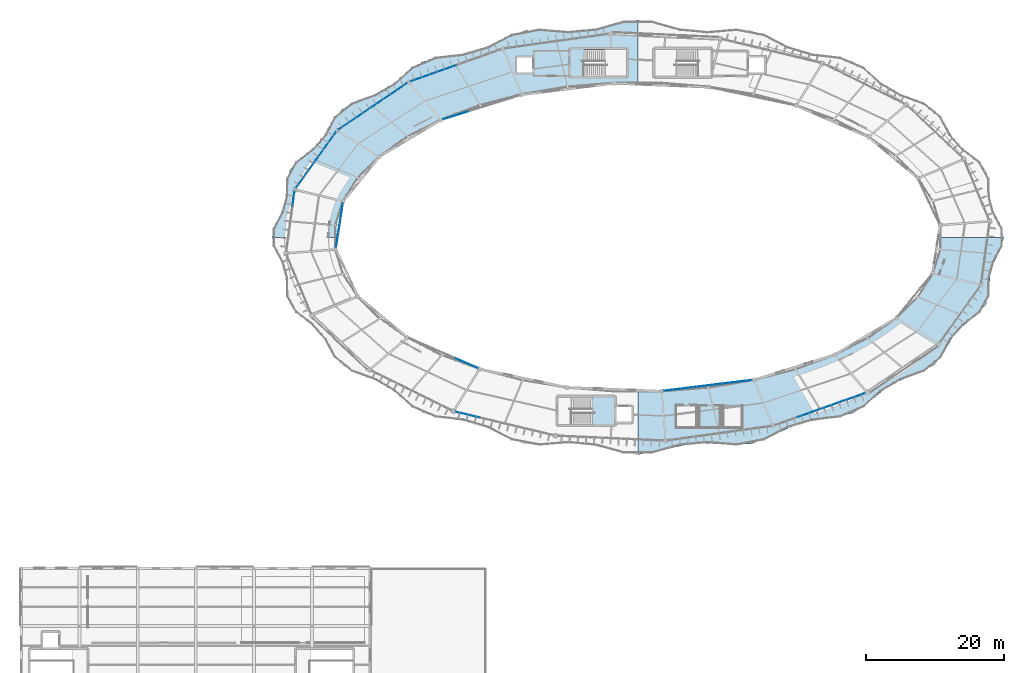
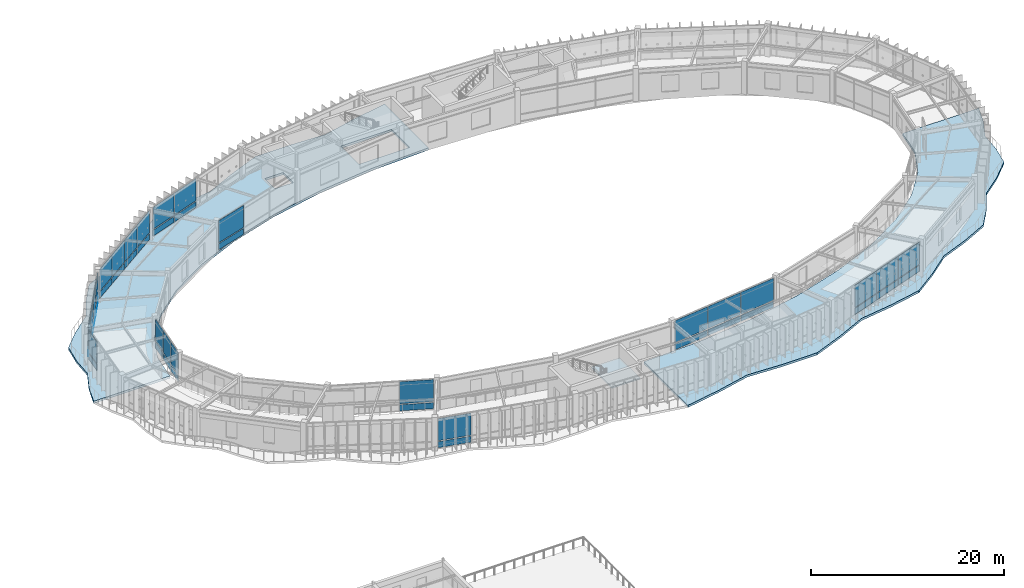
# One storey, part 63 of 83: 46 plates, 3 slabs, 11 elements without a shape of their own.
"""IFC4 building model written with IfcOpenShell, lengths in metres."""

from ifc_helpers import new_model, si_unit, direction, frame, origin, origin_2d, place, context, subcontext, project, spatial, polyline, rectangle, outline, extrude, material, layer, layer_set, type_object, element, aggregate, save


model = new_model("IFC4")

# Units and contexts
model_context = context("Model", 3, precision=1e-05, world=origin(), true_north=direction((0.0, 1.0)))
body_context = subcontext(model_context, "Body", "Model", "MODEL_VIEW")
ifc_project = project(units=[si_unit("LENGTHUNIT", "METRE"), si_unit("AREAUNIT", "SQUARE_METRE"), si_unit("VOLUMEUNIT", "CUBIC_METRE"), si_unit("PLANEANGLEUNIT", "RADIAN"), si_unit("MASSUNIT", "GRAM", prefix="KILO"), si_unit("THERMODYNAMICTEMPERATUREUNIT", "KELVIN"), si_unit("POWERUNIT", "WATT")], contexts=[model_context])

# Site, building, storey
site_placement = place(None, origin())
site = spatial("IfcSite", under=ifc_project, at=site_placement, CompositionType="ELEMENT")
building_placement = place(site_placement, origin())
building = spatial("IfcBuilding", under=site, at=building_placement, Name="Darbajah Civic Hall", CompositionType="ELEMENT")
storey_placement = place(building_placement, frame((0.0, 0.0, 18.0)))
storey = spatial("IfcBuildingStorey", under=building, at=storey_placement, Name="L04", CompositionType="ELEMENT", Elevation=18.0)

# Curtain wall, plates
ifc_material_1 = material(Name="Anodised Bronze Aluminium and Low-E Glazing", Category="aluminium")
curtain_wall_type_1 = type_object("IfcCurtainWallType", Name="Unitised Curtain Wall CW-68 9900x3900", PredefinedType="USERDEFINED", material=ifc_material_1)
curtain_wall_1_placement = place(storey_placement, origin())
curtain_wall_1 = element("IfcCurtainWall", 1, at=curtain_wall_1_placement, inside=storey, type_object=curtain_wall_type_1, Name="L04 unitised curtain wall CW-V1O-L04-08", ObjectType="UNITISED CURTAIN WALL", PredefinedType="USERDEFINED")
ifc_material_2 = material(Name="Low-E Solar Control Double Glazing", Category="glass")
ifc_layer_1 = layer(ifc_material_2, 0.02392578125, Name="Low-E Solar Control Double Glazing")
ifc_layer_set_1 = layer_set([ifc_layer_1], Name="Low-E Solar Control Double Glazing")
plate_type_1 = type_object("IfcPlateType", Name="Solar Double Glazing 24mm", PredefinedType="CURTAIN_PANEL", material=ifc_layer_set_1)
plate_1_placement = place(storey_placement, frame((44.72021484375, 103.963623046875, 0.10009765625), z_axis=(0.0, 0.0, 1.0), x_axis=(-0.582264874145, -0.812999149039, 0.0)))
plate_1 = element("IfcPlate", 2, at=plate_1_placement, type_object=plate_type_1, Name="CW-V1O-L04-08 glazed panel 1.1", PredefinedType="CURTAIN_PANEL", context=body_context, shape_type="SweptSolid", body=[
    extrude(rectangle(XDim=2.406005859375, YDim=0.02392578125, at=origin_2d()), origin(), (0.0, 0.0, 1.0), 0.800048828125),
])
plate_2_placement = place(storey_placement, frame((44.72021484375, 103.963623046875, 1.0), z_axis=(0.0, 0.0, 1.0), x_axis=(-0.582264874145, -0.812999149039, 0.0)))
plate_2 = element("IfcPlate", 3, at=plate_2_placement, type_object=plate_type_1, Name="CW-V1O-L04-08 glazed panel 1.2", PredefinedType="CURTAIN_PANEL", context=body_context, shape_type="SweptSolid", body=[
    extrude(rectangle(XDim=2.406005859375, YDim=0.02392578125, at=origin_2d()), origin(), (0.0, 0.0, 1.0), 2.820068359375),
])
plate_3_placement = place(storey_placement, frame((43.281494140625, 101.95458984375, 0.10009765625), z_axis=(0.0, 0.0, 1.0), x_axis=(-0.582264874145, -0.812999149039, 0.0)))
plate_3 = element("IfcPlate", 4, at=plate_3_placement, type_object=plate_type_1, Name="CW-V1O-L04-08 glazed panel 2.1", PredefinedType="CURTAIN_PANEL", context=body_context, shape_type="SweptSolid", body=[
    extrude(rectangle(XDim=2.406005859375, YDim=0.02392578125, at=origin_2d()), origin(), (0.0, 0.0, 1.0), 0.800048828125),
])
plate_4_placement = place(storey_placement, frame((43.281494140625, 101.95458984375, 1.0), z_axis=(0.0, 0.0, 1.0), x_axis=(-0.582264874145, -0.812999149039, 0.0)))
plate_4 = element("IfcPlate", 5, at=plate_4_placement, type_object=plate_type_1, Name="CW-V1O-L04-08 glazed panel 2.2", PredefinedType="CURTAIN_PANEL", context=body_context, shape_type="SweptSolid", body=[
    extrude(rectangle(XDim=2.406005859375, YDim=0.02392578125, at=origin_2d()), origin(), (0.0, 0.0, 1.0), 2.820068359375),
])
plate_5_placement = place(storey_placement, frame((41.843017578125, 99.945556640625, 0.10009765625), z_axis=(0.0, 0.0, 1.0), x_axis=(-0.582264874145, -0.812999149039, 0.0)))
plate_5 = element("IfcPlate", 6, at=plate_5_placement, type_object=plate_type_1, Name="CW-V1O-L04-08 glazed panel 3.1", PredefinedType="CURTAIN_PANEL", context=body_context, shape_type="SweptSolid", body=[
    extrude(rectangle(XDim=2.406005859375, YDim=0.02392578125, at=origin_2d()), origin(), (0.0, 0.0, 1.0), 0.800048828125),
])
plate_6_placement = place(storey_placement, frame((41.843017578125, 99.945556640625, 1.0), z_axis=(0.0, 0.0, 1.0), x_axis=(-0.582264874145, -0.812999149039, 0.0)))
plate_6 = element("IfcPlate", 7, at=plate_6_placement, type_object=plate_type_1, Name="CW-V1O-L04-08 glazed panel 3.2", PredefinedType="CURTAIN_PANEL", context=body_context, shape_type="SweptSolid", body=[
    extrude(rectangle(XDim=2.406005859375, YDim=0.02392578125, at=origin_2d()), origin(), (0.0, 0.0, 1.0), 2.820068359375),
])
plate_7_placement = place(storey_placement, frame((40.404296875, 97.9365234375, 0.10009765625), z_axis=(0.0, 0.0, 1.0), x_axis=(-0.582264874145, -0.812999149039, 0.0)))
plate_7 = element("IfcPlate", 8, at=plate_7_placement, type_object=plate_type_1, Name="CW-V1O-L04-08 glazed panel 4.1", PredefinedType="CURTAIN_PANEL", context=body_context, shape_type="SweptSolid", body=[
    extrude(rectangle(XDim=2.406005859375, YDim=0.02392578125, at=origin_2d()), origin(), (0.0, 0.0, 1.0), 0.800048828125),
])
plate_8_placement = place(storey_placement, frame((40.404296875, 97.9365234375, 1.0), z_axis=(0.0, 0.0, 1.0), x_axis=(-0.582264874145, -0.812999149039, 0.0)))
plate_8 = element("IfcPlate", 9, at=plate_8_placement, type_object=plate_type_1, Name="CW-V1O-L04-08 glazed panel 4.2", PredefinedType="CURTAIN_PANEL", context=body_context, shape_type="SweptSolid", body=[
    extrude(rectangle(XDim=2.406005859375, YDim=0.02392578125, at=origin_2d()), origin(), (0.0, 0.0, 1.0), 2.820068359375),
])
aggregate(curtain_wall_1, [plate_1, plate_2, plate_3, plate_4, plate_5, plate_6, plate_7, plate_8])

curtain_wall_type_2 = type_object("IfcCurtainWallType", Name="Unitised Curtain Wall CW-67 11700x3900", PredefinedType="USERDEFINED", material=ifc_material_1)
curtain_wall_2_placement = place(storey_placement, origin())
curtain_wall_2 = element("IfcCurtainWall", 10, at=curtain_wall_2_placement, inside=storey, type_object=curtain_wall_type_2, Name="L04 unitised curtain wall CW-V1I-L04-06", ObjectType="UNITISED CURTAIN WALL", PredefinedType="USERDEFINED")
ifc_layer_2 = layer(ifc_material_2, 0.028076171875, Name="Low-E Solar Control Double Glazing")
ifc_layer_set_2 = layer_set([ifc_layer_2], Name="Low-E Solar Control Double Glazing")
plate_type_2 = type_object("IfcPlateType", Name="Solar Double Glazing 28mm", PredefinedType="CURTAIN_PANEL", material=ifc_layer_set_2)
plate_9_placement = place(storey_placement, frame((62.77783203125, 107.419677734375, 0.119873046875), z_axis=(0.0, 0.0, 1.0), x_axis=(-0.954604963513, -0.297874744877, 0.0)))
plate_9 = element("IfcPlate", 11, at=plate_9_placement, type_object=plate_type_2, Name="CW-V1I-L04-06 glazed panel 3.1", PredefinedType="CURTAIN_PANEL", context=body_context, shape_type="SweptSolid", body=[
    extrude(rectangle(XDim=3.8251953125, YDim=0.028076171875, at=origin_2d()), origin(), (0.0, 0.0, 1.0), 0.77001953125),
])
plate_10_placement = place(storey_placement, frame((62.77783203125, 107.419677734375, 1.010009765625), z_axis=(0.0, 0.0, 1.0), x_axis=(-0.954604963513, -0.297874744877, 0.0)))
plate_10 = element("IfcPlate", 12, at=plate_10_placement, type_object=plate_type_2, Name="CW-V1I-L04-06 glazed panel 3.2", PredefinedType="CURTAIN_PANEL", context=body_context, shape_type="SweptSolid", body=[
    extrude(rectangle(XDim=3.8251953125, YDim=0.028076171875, at=origin_2d()), origin(), (0.0, 0.0, 1.0), 2.7900390625),
])
aggregate(curtain_wall_2, [plate_9, plate_10])

curtain_wall_type_3 = type_object("IfcCurtainWallType", Name="Unitised Curtain Wall CW-58 11900x3900", PredefinedType="USERDEFINED", material=ifc_material_1)
curtain_wall_3_placement = place(storey_placement, origin())
curtain_wall_3 = element("IfcCurtainWall", 13, at=curtain_wall_3_placement, inside=storey, type_object=curtain_wall_type_3, Name="L04 unitised curtain wall CW-V1O-L04-07", ObjectType="UNITISED CURTAIN WALL", PredefinedType="USERDEFINED")
plate_11_placement = place(storey_placement, frame((54.4951171875, 111.227783203125, 0.119873046875), z_axis=(0.0, 0.0, 1.0), x_axis=(-0.827962472047, -0.560783509816, 0.0)))
plate_11 = element("IfcPlate", 14, at=plate_11_placement, type_object=plate_type_2, Name="CW-V1O-L04-07 glazed panel 1.1", PredefinedType="CURTAIN_PANEL", context=body_context, shape_type="SweptSolid", body=[
    extrude(rectangle(XDim=2.907958984375, YDim=0.028076171875, at=origin_2d()), origin(), (0.0, 0.0, 1.0), 0.77001953125),
])
plate_12_placement = place(storey_placement, frame((54.4951171875, 111.227783203125, 1.010009765625), z_axis=(0.0, 0.0, 1.0), x_axis=(-0.827962472047, -0.560783509816, 0.0)))
plate_12 = element("IfcPlate", 15, at=plate_12_placement, type_object=plate_type_2, Name="CW-V1O-L04-07 glazed panel 1.2", PredefinedType="CURTAIN_PANEL", context=body_context, shape_type="SweptSolid", body=[
    extrude(rectangle(XDim=2.907958984375, YDim=0.028076171875, at=origin_2d()), origin(), (0.0, 0.0, 1.0), 2.7900390625),
])
plate_13_placement = place(storey_placement, frame((52.029541015625, 109.557861328125, 0.119873046875), z_axis=(0.0, 0.0, 1.0), x_axis=(-0.827962472047, -0.560783509816, 0.0)))
plate_13 = element("IfcPlate", 16, at=plate_13_placement, type_object=plate_type_2, Name="CW-V1O-L04-07 glazed panel 2.1", PredefinedType="CURTAIN_PANEL", context=body_context, shape_type="SweptSolid", body=[
    extrude(rectangle(XDim=2.907958984375, YDim=0.028076171875, at=origin_2d()), origin(), (0.0, 0.0, 1.0), 0.77001953125),
])
plate_14_placement = place(storey_placement, frame((52.029541015625, 109.557861328125, 1.010009765625), z_axis=(0.0, 0.0, 1.0), x_axis=(-0.827962472047, -0.560783509816, 0.0)))
plate_14 = element("IfcPlate", 17, at=plate_14_placement, type_object=plate_type_2, Name="CW-V1O-L04-07 glazed panel 2.2", PredefinedType="CURTAIN_PANEL", context=body_context, shape_type="SweptSolid", body=[
    extrude(rectangle(XDim=2.907958984375, YDim=0.028076171875, at=origin_2d()), origin(), (0.0, 0.0, 1.0), 2.7900390625),
])
plate_15_placement = place(storey_placement, frame((49.56396484375, 107.887939453125, 0.119873046875), z_axis=(0.0, 0.0, 1.0), x_axis=(-0.827962472047, -0.560783509816, 0.0)))
plate_15 = element("IfcPlate", 18, at=plate_15_placement, type_object=plate_type_2, Name="CW-V1O-L04-07 glazed panel 3.1", PredefinedType="CURTAIN_PANEL", context=body_context, shape_type="SweptSolid", body=[
    extrude(rectangle(XDim=2.907958984375, YDim=0.028076171875, at=origin_2d()), origin(), (0.0, 0.0, 1.0), 0.77001953125),
])
plate_16_placement = place(storey_placement, frame((49.56396484375, 107.887939453125, 1.010009765625), z_axis=(0.0, 0.0, 1.0), x_axis=(-0.827962472047, -0.560783509816, 0.0)))
plate_16 = element("IfcPlate", 19, at=plate_16_placement, type_object=plate_type_2, Name="CW-V1O-L04-07 glazed panel 3.2", PredefinedType="CURTAIN_PANEL", context=body_context, shape_type="SweptSolid", body=[
    extrude(rectangle(XDim=2.907958984375, YDim=0.028076171875, at=origin_2d()), origin(), (0.0, 0.0, 1.0), 2.7900390625),
])
plate_17_placement = place(storey_placement, frame((47.098388671875, 106.218017578125, 0.119873046875), z_axis=(0.0, 0.0, 1.0), x_axis=(-0.827962472047, -0.560783509816, 0.0)))
plate_17 = element("IfcPlate", 20, at=plate_17_placement, type_object=plate_type_2, Name="CW-V1O-L04-07 glazed panel 4.1", PredefinedType="CURTAIN_PANEL", context=body_context, shape_type="SweptSolid", body=[
    extrude(rectangle(XDim=2.907958984375, YDim=0.028076171875, at=origin_2d()), origin(), (0.0, 0.0, 1.0), 0.77001953125),
])
plate_18_placement = place(storey_placement, frame((47.098388671875, 106.218017578125, 1.010009765625), z_axis=(0.0, 0.0, 1.0), x_axis=(-0.827962472047, -0.560783509816, 0.0)))
plate_18 = element("IfcPlate", 21, at=plate_18_placement, type_object=plate_type_2, Name="CW-V1O-L04-07 glazed panel 4.2", PredefinedType="CURTAIN_PANEL", context=body_context, shape_type="SweptSolid", body=[
    extrude(rectangle(XDim=2.907958984375, YDim=0.028076171875, at=origin_2d()), origin(), (0.0, 0.0, 1.0), 2.7900390625),
])
aggregate(curtain_wall_3, [plate_11, plate_12, plate_13, plate_14, plate_15, plate_16, plate_17, plate_18])

curtain_wall_type_4 = type_object("IfcCurtainWallType", Name="Unitised Curtain Wall CW-70 6500x3900", PredefinedType="USERDEFINED", material=ifc_material_1)
curtain_wall_4_placement = place(storey_placement, origin())
curtain_wall_4 = element("IfcCurtainWall", 22, at=curtain_wall_4_placement, inside=storey, type_object=curtain_wall_type_4, Name="L04 unitised curtain wall CW-V1I-L04-09", ObjectType="UNITISED CURTAIN WALL", PredefinedType="USERDEFINED")
plate_19_placement = place(storey_placement, frame((46.302734375, 93.6640625, 0.119873046875), z_axis=(0.0, 0.0, 1.0), x_axis=(-0.152813355565, -0.98825506746, 0.0)))
plate_19 = element("IfcPlate", 23, at=plate_19_placement, type_object=plate_type_2, Name="CW-V1I-L04-09 glazed panel 1.1", PredefinedType="CURTAIN_PANEL", context=body_context, shape_type="SweptSolid", body=[
    extrude(rectangle(XDim=2.09130859375, YDim=0.028076171875, at=origin_2d()), origin(), (0.0, 0.0, 1.0), 0.77001953125),
])
plate_20_placement = place(storey_placement, frame((46.302734375, 93.6640625, 1.010009765625), z_axis=(0.0, 0.0, 1.0), x_axis=(-0.152813355565, -0.98825506746, 0.0)))
plate_20 = element("IfcPlate", 24, at=plate_20_placement, type_object=plate_type_2, Name="CW-V1I-L04-09 glazed panel 1.2", PredefinedType="CURTAIN_PANEL", context=body_context, shape_type="SweptSolid", body=[
    extrude(rectangle(XDim=2.09130859375, YDim=0.028076171875, at=origin_2d()), origin(), (0.0, 0.0, 1.0), 2.7900390625),
])
plate_21_placement = place(storey_placement, frame((45.97265625, 91.528076171875, 0.119873046875), z_axis=(0.0, 0.0, 1.0), x_axis=(-0.152813355565, -0.98825506746, 0.0)))
plate_21 = element("IfcPlate", 25, at=plate_21_placement, type_object=plate_type_2, Name="CW-V1I-L04-09 glazed panel 2.1", PredefinedType="CURTAIN_PANEL", context=body_context, shape_type="SweptSolid", body=[
    extrude(rectangle(XDim=2.09130859375, YDim=0.028076171875, at=origin_2d()), origin(), (0.0, 0.0, 1.0), 0.77001953125),
])
plate_22_placement = place(storey_placement, frame((45.97265625, 91.528076171875, 1.010009765625), z_axis=(0.0, 0.0, 1.0), x_axis=(-0.152813355565, -0.98825506746, 0.0)))
plate_22 = element("IfcPlate", 26, at=plate_22_placement, type_object=plate_type_2, Name="CW-V1I-L04-09 glazed panel 2.2", PredefinedType="CURTAIN_PANEL", context=body_context, shape_type="SweptSolid", body=[
    extrude(rectangle(XDim=2.09130859375, YDim=0.028076171875, at=origin_2d()), origin(), (0.0, 0.0, 1.0), 2.7900390625),
])
plate_23_placement = place(storey_placement, frame((45.642333984375, 89.39208984375, 0.119873046875), z_axis=(0.0, 0.0, 1.0), x_axis=(-0.152813355565, -0.98825506746, 0.0)))
plate_23 = element("IfcPlate", 27, at=plate_23_placement, type_object=plate_type_2, Name="CW-V1I-L04-09 glazed panel 3.1", PredefinedType="CURTAIN_PANEL", context=body_context, shape_type="SweptSolid", body=[
    extrude(rectangle(XDim=2.09130859375, YDim=0.028076171875, at=origin_2d()), origin(), (0.0, 0.0, 1.0), 0.77001953125),
])
plate_24_placement = place(storey_placement, frame((45.642333984375, 89.39208984375, 1.010009765625), z_axis=(0.0, 0.0, 1.0), x_axis=(-0.152813355565, -0.98825506746, 0.0)))
plate_24 = element("IfcPlate", 28, at=plate_24_placement, type_object=plate_type_2, Name="CW-V1I-L04-09 glazed panel 3.2", PredefinedType="CURTAIN_PANEL", context=body_context, shape_type="SweptSolid", body=[
    extrude(rectangle(XDim=2.09130859375, YDim=0.028076171875, at=origin_2d()), origin(), (0.0, 0.0, 1.0), 2.7900390625),
])
aggregate(curtain_wall_4, [plate_19, plate_20, plate_21, plate_22, plate_23, plate_24])

curtain_wall_type_5 = type_object("IfcCurtainWallType", Name="Unitised Curtain Wall CW-39 10800x3900", PredefinedType="USERDEFINED", material=ifc_material_1)
curtain_wall_5_placement = place(storey_placement, origin())
curtain_wall_5 = element("IfcCurtainWall", 29, at=curtain_wall_5_placement, inside=storey, type_object=curtain_wall_type_5, Name="L04 unitised curtain wall CW-V1I-L04-12", ObjectType="UNITISED CURTAIN WALL", PredefinedType="USERDEFINED")
plate_25_placement = place(storey_placement, frame((64.30859375, 71.614990234375, 0.119873046875), z_axis=(0.0, 0.0, 1.0), x_axis=(0.917060074385, -0.398749068925, 0.0)))
plate_25 = element("IfcPlate", 30, at=plate_25_placement, type_object=plate_type_2, Name="CW-V1I-L04-12 glazed panel 3.1", PredefinedType="CURTAIN_PANEL", context=body_context, shape_type="SweptSolid", body=[
    extrude(rectangle(XDim=3.532958984375, YDim=0.028076171875, at=origin_2d()), origin(), (0.0, 0.0, 1.0), 0.77001953125),
])
plate_26_placement = place(storey_placement, frame((64.30859375, 71.614990234375, 1.010009765625), z_axis=(0.0, 0.0, 1.0), x_axis=(0.917060074385, -0.398749068925, 0.0)))
plate_26 = element("IfcPlate", 31, at=plate_26_placement, type_object=plate_type_2, Name="CW-V1I-L04-12 glazed panel 3.2", PredefinedType="CURTAIN_PANEL", context=body_context, shape_type="SweptSolid", body=[
    extrude(rectangle(XDim=3.532958984375, YDim=0.028076171875, at=origin_2d()), origin(), (0.0, 0.0, 1.0), 2.7900390625),
])
aggregate(curtain_wall_5, [plate_25, plate_26])

curtain_wall_type_6 = type_object("IfcCurtainWallType", Name="Unitised Curtain Wall CW-71 14600x3900", PredefinedType="USERDEFINED", material=ifc_material_1)
curtain_wall_6_placement = place(storey_placement, origin())
curtain_wall_6 = element("IfcCurtainWall", 32, at=curtain_wall_6_placement, inside=storey, type_object=curtain_wall_type_6, Name="L04 unitised curtain wall CW-V1O-L04-13", ObjectType="UNITISED CURTAIN WALL", PredefinedType="USERDEFINED")
plate_27_placement = place(storey_placement, frame((64.515380859375, 64.15283203125, 0.119873046875), z_axis=(0.0, 0.0, 1.0), x_axis=(0.972492018808, -0.232936200179, 0.0)))
plate_27 = element("IfcPlate", 33, at=plate_27_placement, type_object=plate_type_2, Name="CW-V1O-L04-13 glazed panel 1.1", PredefinedType="CURTAIN_PANEL", context=body_context, shape_type="SweptSolid", body=[
    extrude(rectangle(XDim=3.568603515625, YDim=0.028076171875, at=origin_2d()), origin(), (0.0, 0.0, 1.0), 0.77001953125),
])
plate_28_placement = place(storey_placement, frame((64.515380859375, 64.15283203125, 1.010009765625), z_axis=(0.0, 0.0, 1.0), x_axis=(0.972492018808, -0.232936200179, 0.0)))
plate_28 = element("IfcPlate", 34, at=plate_28_placement, type_object=plate_type_2, Name="CW-V1O-L04-13 glazed panel 1.2", PredefinedType="CURTAIN_PANEL", context=body_context, shape_type="SweptSolid", body=[
    extrude(rectangle(XDim=3.568603515625, YDim=0.028076171875, at=origin_2d()), origin(), (0.0, 0.0, 1.0), 2.7900390625),
])
aggregate(curtain_wall_6, [plate_27, plate_28])

curtain_wall_type_7 = type_object("IfcCurtainWallType", Name="Unitised Curtain Wall CW-73 12900x3900", PredefinedType="USERDEFINED", material=ifc_material_1)
curtain_wall_7_placement = place(storey_placement, origin())
curtain_wall_7 = element("IfcCurtainWall", 35, at=curtain_wall_7_placement, inside=storey, type_object=curtain_wall_type_7, Name="L04 unitised curtain wall CW-V1I-L04-15", ObjectType="UNITISED CURTAIN WALL", PredefinedType="USERDEFINED")
plate_29_placement = place(storey_placement, frame((94.940673828125, 67.862548828125, 0.119873046875), z_axis=(0.0, 0.0, 1.0), x_axis=(0.992609826221, 0.121349630774, 0.0)))
plate_29 = element("IfcPlate", 36, at=plate_29_placement, type_object=plate_type_2, Name="CW-V1I-L04-15 glazed panel 1.1", PredefinedType="CURTAIN_PANEL", context=body_context, shape_type="SweptSolid", body=[
    extrude(rectangle(XDim=4.219970703125, YDim=0.028076171875, at=origin_2d()), origin(), (0.0, 0.0, 1.0), 0.77001953125),
])
plate_30_placement = place(storey_placement, frame((94.940673828125, 67.862548828125, 1.010009765625), z_axis=(0.0, 0.0, 1.0), x_axis=(0.992609826221, 0.121349630774, 0.0)))
plate_30 = element("IfcPlate", 37, at=plate_30_placement, type_object=plate_type_2, Name="CW-V1I-L04-15 glazed panel 1.2", PredefinedType="CURTAIN_PANEL", context=body_context, shape_type="SweptSolid", body=[
    extrude(rectangle(XDim=4.219970703125, YDim=0.028076171875, at=origin_2d()), origin(), (0.0, 0.0, 1.0), 2.7900390625),
])
plate_31_placement = place(storey_placement, frame((99.198974609375, 68.383056640625, 0.119873046875), z_axis=(0.0, 0.0, 1.0), x_axis=(0.992609826221, 0.121349630774, 0.0)))
plate_31 = element("IfcPlate", 38, at=plate_31_placement, type_object=plate_type_2, Name="CW-V1I-L04-15 glazed panel 2.1", PredefinedType="CURTAIN_PANEL", context=body_context, shape_type="SweptSolid", body=[
    extrude(rectangle(XDim=4.219970703125, YDim=0.028076171875, at=origin_2d()), origin(), (0.0, 0.0, 1.0), 0.77001953125),
])
plate_32_placement = place(storey_placement, frame((99.198974609375, 68.383056640625, 1.010009765625), z_axis=(0.0, 0.0, 1.0), x_axis=(0.992609826221, 0.121349630774, 0.0)))
plate_32 = element("IfcPlate", 39, at=plate_32_placement, type_object=plate_type_2, Name="CW-V1I-L04-15 glazed panel 2.2", PredefinedType="CURTAIN_PANEL", context=body_context, shape_type="SweptSolid", body=[
    extrude(rectangle(XDim=4.219970703125, YDim=0.028076171875, at=origin_2d()), origin(), (0.0, 0.0, 1.0), 2.7900390625),
])
plate_33_placement = place(storey_placement, frame((103.457275390625, 68.903564453125, 0.119873046875), z_axis=(0.0, 0.0, 1.0), x_axis=(0.992609826221, 0.121349630774, 0.0)))
plate_33 = element("IfcPlate", 40, at=plate_33_placement, type_object=plate_type_2, Name="CW-V1I-L04-15 glazed panel 3.1", PredefinedType="CURTAIN_PANEL", context=body_context, shape_type="SweptSolid", body=[
    extrude(rectangle(XDim=4.219970703125, YDim=0.028076171875, at=origin_2d()), origin(), (0.0, 0.0, 1.0), 0.77001953125),
])
plate_34_placement = place(storey_placement, frame((103.457275390625, 68.903564453125, 1.010009765625), z_axis=(0.0, 0.0, 1.0), x_axis=(0.992609826221, 0.121349630774, 0.0)))
plate_34 = element("IfcPlate", 41, at=plate_34_placement, type_object=plate_type_2, Name="CW-V1I-L04-15 glazed panel 3.2", PredefinedType="CURTAIN_PANEL", context=body_context, shape_type="SweptSolid", body=[
    extrude(rectangle(XDim=4.219970703125, YDim=0.028076171875, at=origin_2d()), origin(), (0.0, 0.0, 1.0), 2.7900390625),
])
aggregate(curtain_wall_7, [plate_29, plate_30, plate_31, plate_32, plate_33, plate_34])

curtain_wall_type_8 = type_object("IfcCurtainWallType", Name="Unitised Curtain Wall CW-62 13800x3900", PredefinedType="USERDEFINED", material=ifc_material_1)
curtain_wall_8_placement = place(storey_placement, origin())
curtain_wall_8 = element("IfcCurtainWall", 42, at=curtain_wall_8_placement, inside=storey, type_object=curtain_wall_type_8, Name="L04 unitised curtain wall CW-V1O-L04-16", ObjectType="UNITISED CURTAIN WALL", PredefinedType="USERDEFINED")
plate_35_placement = place(storey_placement, frame((113.789794921875, 64.379150390625, 0.119873046875), z_axis=(0.0, 0.0, 1.0), x_axis=(0.94252491309, 0.334135882844, 0.0)))
plate_35 = element("IfcPlate", 43, at=plate_35_placement, type_object=plate_type_2, Name="CW-V1O-L04-16 glazed panel 2.1", PredefinedType="CURTAIN_PANEL", context=body_context, shape_type="SweptSolid", body=[
    extrude(rectangle(XDim=3.3876953125, YDim=0.028076171875, at=origin_2d()), origin(), (0.0, 0.0, 1.0), 0.77001953125),
])
plate_36_placement = place(storey_placement, frame((113.789794921875, 64.379150390625, 1.010009765625), z_axis=(0.0, 0.0, 1.0), x_axis=(0.94252491309, 0.334135882844, 0.0)))
plate_36 = element("IfcPlate", 44, at=plate_36_placement, type_object=plate_type_2, Name="CW-V1O-L04-16 glazed panel 2.2", PredefinedType="CURTAIN_PANEL", context=body_context, shape_type="SweptSolid", body=[
    extrude(rectangle(XDim=3.3876953125, YDim=0.028076171875, at=origin_2d()), origin(), (0.0, 0.0, 1.0), 2.7900390625),
])
plate_37_placement = place(storey_placement, frame((117.048828125, 65.534423828125, 0.119873046875), z_axis=(0.0, 0.0, 1.0), x_axis=(0.94252491309, 0.334135882844, 0.0)))
plate_37 = element("IfcPlate", 45, at=plate_37_placement, type_object=plate_type_2, Name="CW-V1O-L04-16 glazed panel 3.1", PredefinedType="CURTAIN_PANEL", context=body_context, shape_type="SweptSolid", body=[
    extrude(rectangle(XDim=3.3876953125, YDim=0.028076171875, at=origin_2d()), origin(), (0.0, 0.0, 1.0), 0.77001953125),
])
plate_38_placement = place(storey_placement, frame((117.048828125, 65.534423828125, 1.010009765625), z_axis=(0.0, 0.0, 1.0), x_axis=(0.94252491309, 0.334135882844, 0.0)))
plate_38 = element("IfcPlate", 46, at=plate_38_placement, type_object=plate_type_2, Name="CW-V1O-L04-16 glazed panel 3.2", PredefinedType="CURTAIN_PANEL", context=body_context, shape_type="SweptSolid", body=[
    extrude(rectangle(XDim=3.3876953125, YDim=0.028076171875, at=origin_2d()), origin(), (0.0, 0.0, 1.0), 2.7900390625),
])
plate_39_placement = place(storey_placement, frame((120.307861328125, 66.689453125, 0.119873046875), z_axis=(0.0, 0.0, 1.0), x_axis=(0.94252491309, 0.334135882844, 0.0)))
plate_39 = element("IfcPlate", 47, at=plate_39_placement, type_object=plate_type_2, Name="CW-V1O-L04-16 glazed panel 4.1", PredefinedType="CURTAIN_PANEL", context=body_context, shape_type="SweptSolid", body=[
    extrude(rectangle(XDim=3.3876953125, YDim=0.028076171875, at=origin_2d()), origin(), (0.0, 0.0, 1.0), 0.77001953125),
])
plate_40_placement = place(storey_placement, frame((120.307861328125, 66.689453125, 1.010009765625), z_axis=(0.0, 0.0, 1.0), x_axis=(0.94252491309, 0.334135882844, 0.0)))
plate_40 = element("IfcPlate", 48, at=plate_40_placement, type_object=plate_type_2, Name="CW-V1O-L04-16 glazed panel 4.2", PredefinedType="CURTAIN_PANEL", context=body_context, shape_type="SweptSolid", body=[
    extrude(rectangle(XDim=3.3876953125, YDim=0.028076171875, at=origin_2d()), origin(), (0.0, 0.0, 1.0), 2.7900390625),
])
aggregate(curtain_wall_8, [plate_35, plate_36, plate_37, plate_38, plate_39, plate_40])

curtain_wall_type_9 = type_object("IfcCurtainWallType", Name="Unitised Curtain Wall CW-57 13800x3900", PredefinedType="USERDEFINED", material=ifc_material_1)
curtain_wall_9_placement = place(storey_placement, origin())
curtain_wall_9 = element("IfcCurtainWall", 49, at=curtain_wall_9_placement, inside=storey, type_object=curtain_wall_type_9, Name="L04 unitised curtain wall CW-V1O-L04-06", ObjectType="UNITISED CURTAIN WALL", PredefinedType="USERDEFINED")
ifc_layer_3 = layer(ifc_material_2, 0.031982421875, Name="Low-E Solar Control Double Glazing")
ifc_layer_set_3 = layer_set([ifc_layer_3], Name="Low-E Solar Control Double Glazing")
plate_type_3 = type_object("IfcPlateType", Name="Solar Double Glazing 32mm", PredefinedType="CURTAIN_PANEL", material=ifc_layer_set_3)
plate_41_placement = place(storey_placement, frame((61.151123046875, 114.065673828125, 0.14013671875), z_axis=(0.0, 0.0, 1.0), x_axis=(-0.94252491309, -0.334135882844, 0.0)))
plate_41 = element("IfcPlate", 50, at=plate_41_placement, type_object=plate_type_3, Name="CW-V1O-L04-06 glazed panel 3.1", PredefinedType="CURTAIN_PANEL", context=body_context, shape_type="SweptSolid", body=[
    extrude(rectangle(XDim=3.382568359375, YDim=0.031982421875, at=origin_2d()), origin(), (0.0, 0.0, 1.0), 0.739990234375),
])
plate_42_placement = place(storey_placement, frame((61.151123046875, 114.065673828125, 1.02001953125), z_axis=(0.0, 0.0, 1.0), x_axis=(-0.94252491309, -0.334135882844, 0.0)))
plate_42 = element("IfcPlate", 51, at=plate_42_placement, type_object=plate_type_3, Name="CW-V1O-L04-06 glazed panel 3.2", PredefinedType="CURTAIN_PANEL", context=body_context, shape_type="SweptSolid", body=[
    extrude(rectangle(XDim=3.382568359375, YDim=0.031982421875, at=origin_2d()), origin(), (0.0, 0.0, 1.0), 2.760009765625),
])
plate_43_placement = place(storey_placement, frame((57.89208984375, 112.910400390625, 0.14013671875), z_axis=(0.0, 0.0, 1.0), x_axis=(-0.94252491309, -0.334135882844, 0.0)))
plate_43 = element("IfcPlate", 52, at=plate_43_placement, type_object=plate_type_3, Name="CW-V1O-L04-06 glazed panel 4.1", PredefinedType="CURTAIN_PANEL", context=body_context, shape_type="SweptSolid", body=[
    extrude(rectangle(XDim=3.382568359375, YDim=0.031982421875, at=origin_2d()), origin(), (0.0, 0.0, 1.0), 0.739990234375),
])
plate_44_placement = place(storey_placement, frame((57.89208984375, 112.910400390625, 1.02001953125), z_axis=(0.0, 0.0, 1.0), x_axis=(-0.94252491309, -0.334135882844, 0.0)))
plate_44 = element("IfcPlate", 53, at=plate_44_placement, type_object=plate_type_3, Name="CW-V1O-L04-06 glazed panel 4.2", PredefinedType="CURTAIN_PANEL", context=body_context, shape_type="SweptSolid", body=[
    extrude(rectangle(XDim=3.382568359375, YDim=0.031982421875, at=origin_2d()), origin(), (0.0, 0.0, 1.0), 2.760009765625),
])
aggregate(curtain_wall_9, [plate_41, plate_42, plate_43, plate_44])

curtain_wall_type_10 = type_object("IfcCurtainWallType", Name="Unitised Curtain Wall CW-69 8700x3900", PredefinedType="USERDEFINED", material=ifc_material_1)
curtain_wall_10_placement = place(storey_placement, origin())
curtain_wall_10 = element("IfcCurtainWall", 54, at=curtain_wall_10_placement, inside=storey, type_object=curtain_wall_type_10, Name="L04 unitised curtain wall CW-V1O-L04-09", ObjectType="UNITISED CURTAIN WALL", PredefinedType="USERDEFINED")
plate_45_placement = place(storey_placement, frame((39.322021484375, 95.31201171875, 0.14013671875), z_axis=(0.0, 0.0, 1.0), x_axis=(-0.134850930274, -0.990865897387, 0.0)))
plate_45 = element("IfcPlate", 55, at=plate_45_placement, type_object=plate_type_3, Name="CW-V1O-L04-09 glazed panel 1.1", PredefinedType="CURTAIN_PANEL", context=body_context, shape_type="SweptSolid", body=[
    extrude(rectangle(XDim=2.095458984375, YDim=0.031982421875, at=origin_2d()), origin(), (0.0, 0.0, 1.0), 0.739990234375),
])
plate_46_placement = place(storey_placement, frame((39.322021484375, 95.31201171875, 1.02001953125), z_axis=(0.0, 0.0, 1.0), x_axis=(-0.134850930274, -0.990865897387, 0.0)))
plate_46 = element("IfcPlate", 56, at=plate_46_placement, type_object=plate_type_3, Name="CW-V1O-L04-09 glazed panel 1.2", PredefinedType="CURTAIN_PANEL", context=body_context, shape_type="SweptSolid", body=[
    extrude(rectangle(XDim=2.095458984375, YDim=0.031982421875, at=origin_2d()), origin(), (0.0, 0.0, 1.0), 2.760009765625),
])
aggregate(curtain_wall_10, [plate_45, plate_46])

# Stair, slab
ifc_material_3 = material(Name="Concrete C45/55", Category="concrete")
stair_type = type_object("IfcStairType", Name="Half Turn Stair 1650x4200", PredefinedType="HALF_TURN_STAIR", material=ifc_material_3)
stair_placement = place(storey_placement, origin())
stair = element("IfcStair", 57, at=stair_placement, inside=storey, type_object=stair_type, Name="L04 enclosed exit stair ST03", PredefinedType="HALF_TURN_STAIR")
ifc_layer_4 = layer(ifc_material_3, 0.199951171875, Name="Concrete C45/55")
ifc_layer_set_4 = layer_set([ifc_layer_4], Name="Concrete C45/55")
slab_type_1 = type_object("IfcSlabType", Name="Stair Landing Slab 200mm", PredefinedType="LANDING", material=ifc_layer_set_4)
slab_1_placement = place(storey_placement, frame((0.0, 0.0, 1.89990234375)))
slab_1 = element("IfcSlab", 58, at=slab_1_placement, type_object=slab_type_1, Name="ST03 L04 half-landing", PredefinedType="LANDING", context=body_context, shape_type="SweptSolid", body=[
    extrude(outline(polyline([(82.43994140625, 62.60009765625), (85.800048828125, 62.60009765625), (85.800048828125, 66.800048828125), (82.43994140625, 66.800048828125), (82.43994140625, 62.60009765625)])), origin(), (0.0, 0.0, 1.0), 0.2001953125),
])
aggregate(stair, [slab_1])

# Slabs
ifc_layer_5 = layer(ifc_material_3, 0.280029296875, Name="Concrete C45/55")
ifc_layer_set_5 = layer_set([ifc_layer_5], Name="Concrete C45/55")
slab_type_2 = type_object("IfcSlabType", Name="Structural Floor Slab 280mm", PredefinedType="FLOOR", material=ifc_layer_set_5)
slab_2_placement = place(storey_placement, frame((0.0, 0.0, -0.280029296875)))
element("IfcSlab", 59, at=slab_2_placement, inside=storey, type_object=slab_type_2, Name="L04 Oval Administration Ring NW floor slab", PredefinedType="FLOOR", context=body_context, shape_type="SweptSolid", body=[
    extrude(outline(polyline([(89.10009765625, 121.202880859375), (85.001220703125, 120.4453125), (81.031494140625, 119.506591796875), (76.90478515625, 119.690673828125), (72.752197265625, 119.666015625), (69.108642578125, 118.2001953125), (65.6845703125, 116.598876953125), (61.8046875, 116.01025390625), (58.00439453125, 115.20556640625), (55.1728515625, 113.1748046875), (52.629638671875, 111.067626953125), (49.37646484375, 109.763916015625), (46.300537109375, 108.25830078125), (44.55810546875, 105.861572265625), (43.14453125, 103.45458984375), (40.83642578125, 101.563720703125), (38.786376953125, 99.504150390625), (38.303466796875, 96.97607421875), (38.157958984375, 94.505126953125), (37.02099609375, 92.2119140625), (36.197021484375, 89.800048828125), (45.320068359375, 89.800048828125), (45.85888671875, 93.285400390625), (47.462646484375, 96.684814453125), (50.091796875, 99.914794921875), (53.68115234375, 102.89599609375), (58.142822265625, 105.55419921875), (63.36669921875, 107.824951171875), (69.224365234375, 109.651611328125), (75.5712890625, 110.989501953125), (82.251220703125, 111.8056640625), (89.10009765625, 112.080078125), (89.10009765625, 121.202880859375)]), holes=[polyline([(81.3798828125, 116.8798828125), (87.4599609375, 116.8798828125), (87.4599609375, 113.1201171875), (81.3798828125, 113.1201171875), (81.3798828125, 116.8798828125)]), polyline([(71.64990234375, 115.75), (73.85009765625, 115.75), (73.85009765625, 113.64990234375), (71.64990234375, 113.64990234375), (71.64990234375, 115.75)])]), origin(), (0.0, 0.0, 1.0), 0.280029296875),
])
slab_3_placement = place(storey_placement, frame((0.0, 0.0, -0.280029296875)))
element("IfcSlab", 60, at=slab_3_placement, inside=storey, type_object=slab_type_2, Name="L04 Oval Administration Ring SE floor slab", PredefinedType="FLOOR", context=body_context, shape_type="SweptSolid", body=[
    extrude(outline(polyline([(89.10009765625, 58.39697265625), (93.19873046875, 59.15478515625), (97.16845703125, 60.09326171875), (101.295166015625, 59.9091796875), (105.447998046875, 59.93408203125), (109.09130859375, 61.39990234375), (112.515380859375, 63.001220703125), (116.395263671875, 63.58984375), (120.195556640625, 64.394287109375), (123.027099609375, 66.425048828125), (125.5703125, 68.5322265625), (128.823486328125, 69.8359375), (131.8994140625, 71.341796875), (133.641845703125, 73.73828125), (135.055419921875, 76.145263671875), (137.363525390625, 78.036376953125), (139.413818359375, 80.095947265625), (139.896484375, 82.623779296875), (140.0419921875, 85.094970703125), (141.178955078125, 87.38818359375), (142.0029296875, 89.800048828125), (132.8798828125, 89.800048828125), (132.341064453125, 86.314697265625), (130.7373046875, 82.9150390625), (128.1083984375, 79.68505859375), (124.518798828125, 76.7041015625), (120.05712890625, 74.045654296875), (114.833251953125, 71.775146484375), (108.9755859375, 69.948486328125), (102.62890625, 68.610595703125), (95.94873046875, 67.794189453125), (89.10009765625, 67.52001953125), (89.10009765625, 58.39697265625)])), origin(), (0.0, 0.0, 1.0), 0.280029296875),
])

save(model, "model.ifc")
